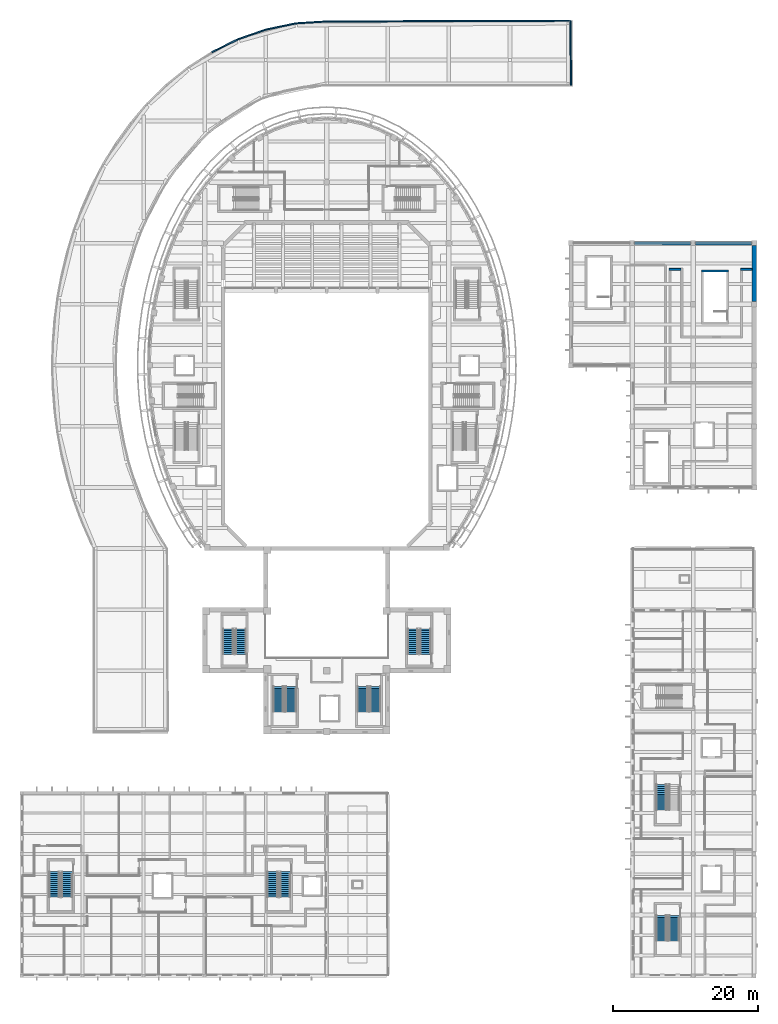
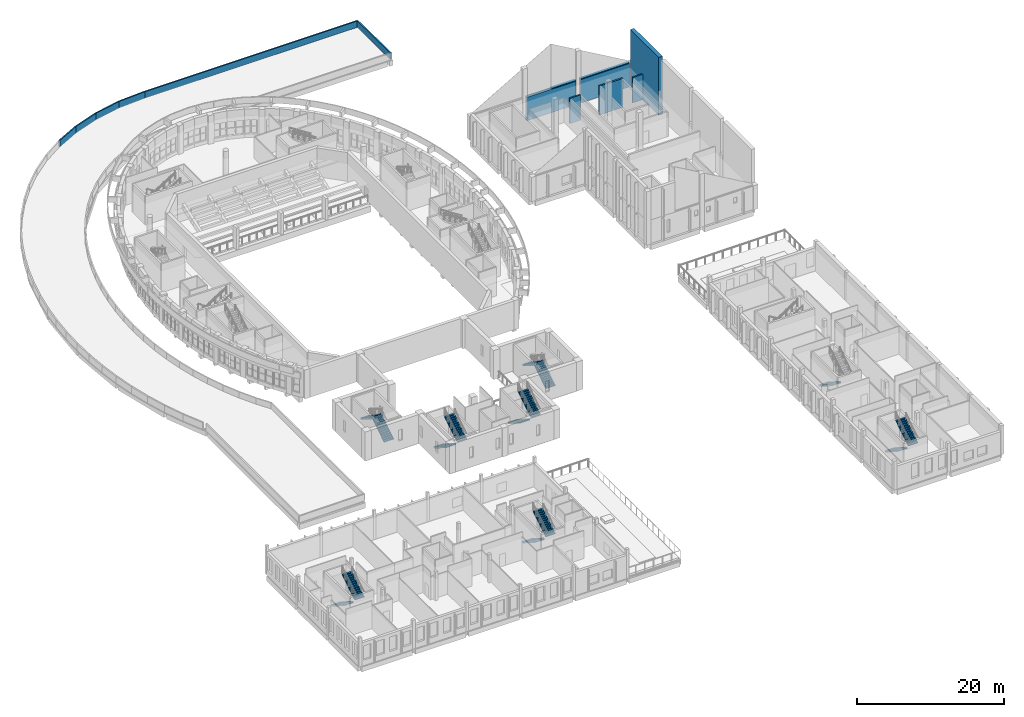
# One storey, part 46 of 79: 15 stair flights, 14 walls, 8 elements without a shape of their own.
"""IFC4 building model written with IfcOpenShell, lengths in metres."""

from ifc_helpers import new_model, si_unit, direction, frame, frame_2d, origin, place, context, subcontext, project, spatial, polyline, rectangle, outline, extrude, material, layer, layer_set, type_object, element, aggregate, save


model = new_model("IFC4")

# Units and contexts
model_context = context("Model", 3, precision=1e-05, world=origin(), true_north=direction((0.0, 1.0)))
body_context = subcontext(model_context, "Body", "Model", "MODEL_VIEW")
ifc_project = project(units=[si_unit("LENGTHUNIT", "METRE"), si_unit("AREAUNIT", "SQUARE_METRE"), si_unit("VOLUMEUNIT", "CUBIC_METRE"), si_unit("PLANEANGLEUNIT", "RADIAN"), si_unit("MASSUNIT", "GRAM", prefix="KILO")], contexts=[model_context])

# Site, building, storey
site_placement = place(None, origin())
site = spatial("IfcSite", under=ifc_project, at=site_placement, CompositionType="ELEMENT")
building_placement = place(site_placement, origin())
building = spatial("IfcBuilding", under=site, at=building_placement, Name="Larchfold Concert Hall", CompositionType="ELEMENT")
storey_placement = place(building_placement, frame((0.0, 0.0, 14.39990234375)))
storey = spatial("IfcBuildingStorey", under=building, at=storey_placement, Name="L03", CompositionType="ELEMENT", Elevation=14.39990234375)

# Walls
ifc_material_1 = material(Name="Charred larch cladding on mineral wool and CLT", Category="wood")
ifc_layer_1 = layer(ifc_material_1, 0.449951171875)
ifc_layer_set_1 = layer_set([ifc_layer_1], Name="Charred larch cladding on mineral wool and CLT")
wall_type_1 = type_object("IfcWallType", Name="Charred larch infill wall 450", PredefinedType="SOLIDWALL", material=ifc_layer_set_1)
for number, where, z_axis, x_axis, name in (
    (1, (101.0498046875, 101.39990234375, 0.0), (0.0, 0.0, 1.0), (-1.0, 0.0, 0.0), "Infill wall W5106"),
    (2, (92.64990234375, 101.39990234375, 0.0), (0.0, 0.0, 1.0), (-1.0, 0.0, 0.0), "Infill wall W5107"),
):
    element("IfcWall", number, at=place(storey_placement, frame(where, z_axis=z_axis, x_axis=x_axis)), inside=storey, type_object=wall_type_1, Name=name, PredefinedType="SOLIDWALL", context=body_context, shape_type="SweptSolid", body=[
        extrude(rectangle(XDim=7.69970703125, YDim=0.449951171875, at=frame_2d((3.849853515625, 0.0))), origin(), (0.0, 0.0, 1.0), 3.900146484375),
    ])
wall_1_placement = place(storey_placement, frame((92.64990234375, 101.39990234375, 3.900146484375), z_axis=(0.0, 0.0, 1.0), x_axis=(-1.0, 0.0, 0.0)))
element("IfcWall", 3, at=wall_1_placement, inside=storey, type_object=wall_type_1, Name="Infill wall W5199", PredefinedType="SOLIDWALL", context=body_context, shape_type="SweptSolid", body=[
    extrude(rectangle(XDim=3.849853515625, YDim=0.449951171875, at=frame_2d((1.9248046875, 0.0))), origin(), (0.0, 0.0, 1.0), 0.114501953125),
])
wall_2_placement = place(storey_placement, frame((101.0498046875, 101.39990234375, 3.900146484375), z_axis=(0.0, 0.0, 1.0), x_axis=(-1.0, 0.0, 0.0)))
element("IfcWall", 4, at=wall_2_placement, inside=storey, type_object=wall_type_1, Name="Infill wall W5201", PredefinedType="SOLIDWALL", context=body_context, shape_type="SweptSolid", body=[
    extrude(rectangle(XDim=7.69970703125, YDim=0.449951171875, at=frame_2d((3.849853515625, 0.0))), origin(), (0.0, 0.0, 1.0), 0.114501953125),
])
ifc_material_2 = material(Name="Plasterboard partition on steel studs", Category="steel")
ifc_layer_2 = layer(ifc_material_2, 0.25)
ifc_layer_set_2 = layer_set([ifc_layer_2], Name="Plasterboard partition on steel studs")
wall_type_2 = type_object("IfcWallType", Name="Hall acoustic double-leaf partition 250", PredefinedType="PARTITIONING", material=ifc_layer_set_2)
wall_3_placement = place(storey_placement, frame((101.10009765625, 97.800048828125, 0.0), z_axis=(0.0, 0.0, 1.0), x_axis=(-1.0, 0.0, 0.0)))
element("IfcWall", 5, at=wall_3_placement, inside=storey, type_object=wall_type_2, Name="Partition IW0048", PredefinedType="PARTITIONING", context=body_context, shape_type="SweptSolid", body=[
    extrude(rectangle(XDim=1.576171875, YDim=0.25, at=frame_2d((0.7880859375, 0.0))), origin(), (0.0, 0.0, 1.0), 4.2001953125),
])
wall_4_placement = place(storey_placement, frame((91.31298828125, 97.800048828125, 0.0), z_axis=(0.0, 0.0, 1.0), x_axis=(-1.0, 0.0, 0.0)))
element("IfcWall", 6, at=wall_4_placement, inside=storey, type_object=wall_type_2, Name="Partition IW0052", PredefinedType="PARTITIONING", context=body_context, shape_type="SweptSolid", body=[
    extrude(rectangle(XDim=1.637939453125, YDim=0.25, at=frame_2d((0.81884765625, 0.0))), origin(), (0.0, 0.0, 1.0), 4.2001953125),
])
ifc_material_3 = material(Name="White render on insulated block")
ifc_layer_3 = layer(ifc_material_3, 0.199951171875)
ifc_layer_set_3 = layer_set([ifc_layer_3], Name="White render on insulated block")
wall_type_3 = type_object("IfcWallType", Name="Roof parapet 200", PredefinedType="PARAPET", material=ifc_layer_set_3)
wall_5_placement = place(storey_placement, frame((76.199951171875, 123.10009765625, 0.0), z_axis=(0.0, 0.0, 1.0), x_axis=(-0.011246339791, 0.999936757921, 0.0)))
element("IfcWall", 7, at=wall_5_placement, inside=storey, type_object=wall_type_3, Name="Parapet PW0041", PredefinedType="PARAPET", context=body_context, shape_type="SweptSolid", body=[
    extrude(rectangle(XDim=8.900390625, YDim=0.199951171875, at=frame_2d((4.4501953125, 0.0))), origin(), (0.0, 0.0, 1.0), 1.10009765625),
])
wall_6_placement = place(storey_placement, frame((76.099853515625, 132.0, 0.0), z_axis=(0.0, 0.0, 1.0), x_axis=(-0.999995535923, -0.002987998176, 0.0)))
element("IfcWall", 8, at=wall_6_placement, inside=storey, type_object=wall_type_3, Name="Parapet PW0042", PredefinedType="PARAPET", context=body_context, shape_type="SweptSolid", body=[
    extrude(rectangle(XDim=33.5, YDim=0.199951171875, at=frame_2d((16.75, 0.0))), origin(), (0.0, 0.0, 1.0), 1.10009765625),
])
wall_7_placement = place(storey_placement, frame((42.60009765625, 131.89990234375, 0.0), z_axis=(0.0, 0.0, 1.0), x_axis=(-0.998116301752, -0.061350209264, 0.0)))
element("IfcWall", 9, at=wall_7_placement, inside=storey, type_object=wall_type_3, Name="Parapet PW0043", PredefinedType="PARAPET", context=body_context, shape_type="SweptSolid", body=[
    extrude(rectangle(XDim=4.258056640625, YDim=0.199951171875, at=frame_2d((2.12890625, 0.0))), origin(), (0.0, 0.0, 1.0), 1.10009765625),
])
wall_8_placement = place(storey_placement, frame((38.35009765625, 131.638671875, 0.0), z_axis=(0.0, 0.0, 1.0), x_axis=(-0.979120756343, -0.203279473875, 0.0)))
element("IfcWall", 10, at=wall_8_placement, inside=storey, type_object=wall_type_3, Name="Parapet PW0044", PredefinedType="PARAPET", context=body_context, shape_type="SweptSolid", body=[
    extrude(rectangle(XDim=4.204833984375, YDim=0.199951171875, at=frame_2d((2.1025390625, 0.0))), origin(), (0.0, 0.0, 1.0), 1.10009765625),
])
wall_9_placement = place(storey_placement, frame((34.233154296875, 130.783935546875, 0.0), z_axis=(0.0, 0.0, 1.0), x_axis=(-0.944289670006, -0.3291155103, 0.0)))
element("IfcWall", 11, at=wall_9_placement, inside=storey, type_object=wall_type_3, Name="Parapet PW0045", PredefinedType="PARAPET", context=body_context, shape_type="SweptSolid", body=[
    extrude(rectangle(XDim=4.122314453125, YDim=0.199951171875, at=frame_2d((2.06103515625, 0.0))), origin(), (0.0, 0.0, 1.0), 1.10009765625),
])
wall_10_placement = place(storey_placement, frame((30.340576171875, 129.42724609375, 0.0), z_axis=(0.0, 0.0, 1.0), x_axis=(-0.896763077154, -0.442510998115, 0.0)))
element("IfcWall", 12, at=wall_10_placement, inside=storey, type_object=wall_type_3, Name="Parapet PW0046", PredefinedType="PARAPET", context=body_context, shape_type="SweptSolid", body=[
    extrude(rectangle(XDim=4.01318359375, YDim=0.199951171875, at=frame_2d((2.006591796875, 0.0))), origin(), (0.0, 0.0, 1.0), 1.10009765625),
])
ifc_material_4 = material(Name="Concrete C40/50", Category="concrete")
ifc_layer_4 = layer(ifc_material_4, 0.25)
ifc_layer_set_4 = layer_set([ifc_layer_4], Name="Concrete C40/50")
wall_type_4 = type_object("IfcWallType", Name="Wall RC 250 stair core", PredefinedType="SOLIDWALL", material=ifc_layer_set_4)
wall_11_placement = place(storey_placement, frame((94.14990234375, 97.574951171875, 0.0), z_axis=(0.0, 0.0, 1.0), x_axis=(1.0, 0.0, 0.0)))
element("IfcWall", 13, at=wall_11_placement, inside=storey, type_object=wall_type_4, Name="Wall W0099", PredefinedType="SOLIDWALL", context=body_context, shape_type="SweptSolid", body=[
    extrude(rectangle(XDim=3.7001953125, YDim=0.25, at=frame_2d((1.85009765625, 0.0))), origin(), (0.0, 0.0, 1.0), 4.800048828125),
])
ifc_material_5 = material(Name="Concrete C40/50", Category="concrete")
ifc_layer_5 = layer(ifc_material_5, 0.60009765625)
ifc_layer_set_5 = layer_set([ifc_layer_5], Name="Concrete C40/50")
wall_type_5 = type_object("IfcWallType", Name="Wall RC 600 party wall", PredefinedType="SOLIDWALL", material=ifc_layer_set_5)
wall_12_placement = place(storey_placement, frame((101.39990234375, 93.35009765625, 0.0), z_axis=(0.0, 0.0, 1.0), x_axis=(0.0, 1.0, 0.0)))
element("IfcWall", 14, at=wall_12_placement, inside=storey, type_object=wall_type_5, Name="Wall W0029", PredefinedType="SOLIDWALL", context=body_context, shape_type="SweptSolid", body=[
    extrude(rectangle(XDim=7.699951171875, YDim=0.60009765625, at=frame_2d((3.85009765625, 0.0))), origin(), (0.0, 0.0, 1.0), 9.60009765625),
])

# Stair, stair flights
ifc_material_6 = material(Name="Concrete C35/45", Category="concrete")
stair_type = type_object("IfcStairType", Name="Stair RC half-turn enclosed", PredefinedType="HALF_TURN_STAIR", material=ifc_material_6)
stair_1_placement = place(storey_placement, origin())
stair_1 = element("IfcStair", 15, at=stair_1_placement, inside=storey, type_object=stair_type, Name="Stair SH1", PredefinedType="HALF_TURN_STAIR")
ifc_material_7 = material(Name="Concrete C35/45", Category="concrete")
stair_flight_type = type_object("IfcStairFlightType", Name="Stair flight RC 1500 x 171.4", PredefinedType="STRAIGHT", material=ifc_material_7)
stair_flight_1_placement = place(storey_placement, frame((30.75, 44.85009765625, 0.0), z_axis=(0.0, 0.0, 1.0), x_axis=(0.0, 1.0, 0.0)))
stair_flight_1 = element("IfcStairFlight", 16, at=stair_flight_1_placement, type_object=stair_flight_type, Name="ST09 flight 1", NumberOfRisers=14, NumberOfTreads=13, PredefinedType="STRAIGHT", RiserHeight=0.171428571, TreadLength=0.27, context=body_context, shape_type="SweptSolid", body=[
    extrude(outline(polyline([(0.0, 0.0), (0.0, 0.17138671875), (0.27001953125, 0.17138671875), (0.27001953125, 0.3427734375), (0.5400390625, 0.3427734375), (0.5400390625, 0.514404296875), (0.81005859375, 0.514404296875), (0.81005859375, 0.685791015625), (1.080078125, 0.685791015625), (1.080078125, 0.857177734375), (1.35009765625, 0.857177734375), (1.35009765625, 1.028564453125), (1.6201171875, 1.028564453125), (1.6201171875, 1.199951171875), (1.889892578125, 1.199951171875), (1.889892578125, 1.371337890625), (2.159912109375, 1.371337890625), (2.159912109375, 1.54296875), (2.429931640625, 1.54296875), (2.429931640625, 1.71435546875), (2.699951171875, 1.71435546875), (2.699951171875, 1.8857421875), (2.969970703125, 1.8857421875), (2.969970703125, 2.05712890625), (3.239990234375, 2.05712890625), (3.239990234375, 2.228515625), (3.510009765625, 2.228515625), (3.510009765625, 2.39990234375), (3.510009765625, 2.051025390625), (0.27978515625, 0.0), (0.0, 0.0)])), frame((0.0, 0.75, 0.0), z_axis=(0.0, -1.0, 0.0), x_axis=(1.0, 0.0, 0.0)), (0.0, 0.0, 1.0), 1.5),
])
stair_flight_2_placement = place(storey_placement, frame((29.050048828125, 48.360107421875, 2.400146484375), z_axis=(0.0, 0.0, 1.0), x_axis=(0.0, -1.0, 0.0)))
stair_flight_2 = element("IfcStairFlight", 17, at=stair_flight_2_placement, type_object=stair_flight_type, Name="ST09 flight 2", NumberOfRisers=14, NumberOfTreads=13, PredefinedType="STRAIGHT", RiserHeight=0.171428571, TreadLength=0.27, context=body_context, shape_type="SweptSolid", body=[
    extrude(outline(polyline([(0.0, 0.0), (0.0, 0.17138671875), (0.27001953125, 0.17138671875), (0.27001953125, 0.3427734375), (0.5400390625, 0.3427734375), (0.5400390625, 0.514404296875), (0.81005859375, 0.514404296875), (0.81005859375, 0.685791015625), (1.080078125, 0.685791015625), (1.080078125, 0.857177734375), (1.35009765625, 0.857177734375), (1.35009765625, 1.028564453125), (1.6201171875, 1.028564453125), (1.6201171875, 1.199951171875), (1.889892578125, 1.199951171875), (1.889892578125, 1.371337890625), (2.159912109375, 1.371337890625), (2.159912109375, 1.54296875), (2.429931640625, 1.54296875), (2.429931640625, 1.71435546875), (2.699951171875, 1.71435546875), (2.699951171875, 1.8857421875), (2.969970703125, 1.8857421875), (2.969970703125, 2.05712890625), (3.239990234375, 2.05712890625), (3.239990234375, 2.228515625), (3.510009765625, 2.228515625), (3.510009765625, 2.39990234375), (3.510009765625, 2.051025390625), (0.27978515625, 0.0), (0.0, 0.0)])), frame((0.0, 0.75, 0.0), z_axis=(0.0, -1.0, 0.0), x_axis=(1.0, 0.0, 0.0)), (0.0, 0.0, 1.0), 1.5),
])
aggregate(stair_1, [stair_flight_1, stair_flight_2])

stair_2_placement = place(storey_placement, origin())
stair_2 = element("IfcStair", 18, at=stair_2_placement, inside=storey, type_object=stair_type, Name="Stair SH2", PredefinedType="HALF_TURN_STAIR")
stair_flight_3_placement = place(storey_placement, frame((56.14990234375, 44.85009765625, 0.0), z_axis=(0.0, 0.0, 1.0), x_axis=(0.0, 1.0, 0.0)))
stair_flight_3 = element("IfcStairFlight", 19, at=stair_flight_3_placement, type_object=stair_flight_type, Name="ST10 flight 1", NumberOfRisers=14, NumberOfTreads=13, PredefinedType="STRAIGHT", RiserHeight=0.171428571, TreadLength=0.27, context=body_context, shape_type="SweptSolid", body=[
    extrude(outline(polyline([(0.0, 0.0), (0.0, 0.17138671875), (0.27001953125, 0.17138671875), (0.27001953125, 0.3427734375), (0.5400390625, 0.3427734375), (0.5400390625, 0.514404296875), (0.81005859375, 0.514404296875), (0.81005859375, 0.685791015625), (1.080078125, 0.685791015625), (1.080078125, 0.857177734375), (1.35009765625, 0.857177734375), (1.35009765625, 1.028564453125), (1.6201171875, 1.028564453125), (1.6201171875, 1.199951171875), (1.889892578125, 1.199951171875), (1.889892578125, 1.371337890625), (2.159912109375, 1.371337890625), (2.159912109375, 1.54296875), (2.429931640625, 1.54296875), (2.429931640625, 1.71435546875), (2.699951171875, 1.71435546875), (2.699951171875, 1.8857421875), (2.969970703125, 1.8857421875), (2.969970703125, 2.05712890625), (3.239990234375, 2.05712890625), (3.239990234375, 2.228515625), (3.510009765625, 2.228515625), (3.510009765625, 2.39990234375), (3.510009765625, 2.051025390625), (0.27978515625, 0.0), (0.0, 0.0)])), frame((0.0, 0.75, 0.0), z_axis=(0.0, -1.0, 0.0), x_axis=(1.0, 0.0, 0.0)), (0.0, 0.0, 1.0), 1.5),
])
stair_flight_4_placement = place(storey_placement, frame((54.449951171875, 48.360107421875, 2.400146484375), z_axis=(0.0, 0.0, 1.0), x_axis=(0.0, -1.0, 0.0)))
stair_flight_4 = element("IfcStairFlight", 20, at=stair_flight_4_placement, type_object=stair_flight_type, Name="ST10 flight 2", NumberOfRisers=14, NumberOfTreads=13, PredefinedType="STRAIGHT", RiserHeight=0.171428571, TreadLength=0.27, context=body_context, shape_type="SweptSolid", body=[
    extrude(outline(polyline([(0.0, 0.0), (0.0, 0.17138671875), (0.27001953125, 0.17138671875), (0.27001953125, 0.3427734375), (0.5400390625, 0.3427734375), (0.5400390625, 0.514404296875), (0.81005859375, 0.514404296875), (0.81005859375, 0.685791015625), (1.080078125, 0.685791015625), (1.080078125, 0.857177734375), (1.35009765625, 0.857177734375), (1.35009765625, 1.028564453125), (1.6201171875, 1.028564453125), (1.6201171875, 1.199951171875), (1.889892578125, 1.199951171875), (1.889892578125, 1.371337890625), (2.159912109375, 1.371337890625), (2.159912109375, 1.54296875), (2.429931640625, 1.54296875), (2.429931640625, 1.71435546875), (2.699951171875, 1.71435546875), (2.699951171875, 1.8857421875), (2.969970703125, 1.8857421875), (2.969970703125, 2.05712890625), (3.239990234375, 2.05712890625), (3.239990234375, 2.228515625), (3.510009765625, 2.228515625), (3.510009765625, 2.39990234375), (3.510009765625, 2.051025390625), (0.27978515625, 0.0), (0.0, 0.0)])), frame((0.0, 0.75, 0.0), z_axis=(0.0, -1.0, 0.0), x_axis=(1.0, 0.0, 0.0)), (0.0, 0.0, 1.0), 1.5),
])
aggregate(stair_2, [stair_flight_3, stair_flight_4])

stair_3_placement = place(storey_placement, origin())
stair_3 = element("IfcStair", 21, at=stair_3_placement, inside=storey, type_object=stair_type, Name="Stair SH3", PredefinedType="HALF_TURN_STAIR")
stair_flight_5_placement = place(storey_placement, frame((35.949951171875, 40.449951171875, 0.0), z_axis=(0.0, 0.0, 1.0), x_axis=(0.0, -1.0, 0.0)))
stair_flight_5 = element("IfcStairFlight", 22, at=stair_flight_5_placement, type_object=stair_flight_type, Name="ST11 flight 1", NumberOfRisers=14, NumberOfTreads=13, PredefinedType="STRAIGHT", RiserHeight=0.171428571, TreadLength=0.27, context=body_context, shape_type="SweptSolid", body=[
    extrude(outline(polyline([(0.0, 0.0), (0.0, 0.17138671875), (0.27001953125, 0.17138671875), (0.27001953125, 0.3427734375), (0.5400390625, 0.3427734375), (0.5400390625, 0.514404296875), (0.81005859375, 0.514404296875), (0.81005859375, 0.685791015625), (1.080078125, 0.685791015625), (1.080078125, 0.857177734375), (1.35009765625, 0.857177734375), (1.35009765625, 1.028564453125), (1.6201171875, 1.028564453125), (1.6201171875, 1.199951171875), (1.889892578125, 1.199951171875), (1.889892578125, 1.371337890625), (2.159912109375, 1.371337890625), (2.159912109375, 1.54296875), (2.429931640625, 1.54296875), (2.429931640625, 1.71435546875), (2.699951171875, 1.71435546875), (2.699951171875, 1.8857421875), (2.969970703125, 1.8857421875), (2.969970703125, 2.05712890625), (3.239990234375, 2.05712890625), (3.239990234375, 2.228515625), (3.510009765625, 2.228515625), (3.510009765625, 2.39990234375), (3.510009765625, 2.051025390625), (0.27978515625, 0.0), (0.0, 0.0)])), frame((0.0, 0.75, 0.0), z_axis=(0.0, -1.0, 0.0), x_axis=(1.0, 0.0, 0.0)), (0.0, 0.0, 1.0), 1.5),
])
stair_flight_6_placement = place(storey_placement, frame((37.64990234375, 36.93994140625, 2.400146484375), z_axis=(0.0, 0.0, 1.0), x_axis=(0.0, 1.0, 0.0)))
stair_flight_6 = element("IfcStairFlight", 23, at=stair_flight_6_placement, type_object=stair_flight_type, Name="ST11 flight 2", NumberOfRisers=14, NumberOfTreads=13, PredefinedType="STRAIGHT", RiserHeight=0.171428571, TreadLength=0.27, context=body_context, shape_type="SweptSolid", body=[
    extrude(outline(polyline([(0.0, 0.0), (0.0, 0.17138671875), (0.27001953125, 0.17138671875), (0.27001953125, 0.3427734375), (0.5400390625, 0.3427734375), (0.5400390625, 0.514404296875), (0.81005859375, 0.514404296875), (0.81005859375, 0.685791015625), (1.080078125, 0.685791015625), (1.080078125, 0.857177734375), (1.35009765625, 0.857177734375), (1.35009765625, 1.028564453125), (1.6201171875, 1.028564453125), (1.6201171875, 1.199951171875), (1.889892578125, 1.199951171875), (1.889892578125, 1.371337890625), (2.159912109375, 1.371337890625), (2.159912109375, 1.54296875), (2.429931640625, 1.54296875), (2.429931640625, 1.71435546875), (2.699951171875, 1.71435546875), (2.699951171875, 1.8857421875), (2.969970703125, 1.8857421875), (2.969970703125, 2.05712890625), (3.239990234375, 2.05712890625), (3.239990234375, 2.228515625), (3.510009765625, 2.228515625), (3.510009765625, 2.39990234375), (3.510009765625, 2.051025390625), (0.27978515625, 0.0), (0.0, 0.0)])), frame((0.0, 0.75, 0.0), z_axis=(0.0, -1.0, 0.0), x_axis=(1.0, 0.0, 0.0)), (0.0, 0.0, 1.0), 1.5),
])
aggregate(stair_3, [stair_flight_5, stair_flight_6])

stair_4_placement = place(storey_placement, origin())
stair_4 = element("IfcStair", 24, at=stair_4_placement, inside=storey, type_object=stair_type, Name="Stair SH4", PredefinedType="HALF_TURN_STAIR")
stair_flight_7_placement = place(storey_placement, frame((47.550048828125, 40.449951171875, 0.0), z_axis=(0.0, 0.0, 1.0), x_axis=(0.0, -1.0, 0.0)))
stair_flight_7 = element("IfcStairFlight", 25, at=stair_flight_7_placement, type_object=stair_flight_type, Name="ST12 flight 1", NumberOfRisers=14, NumberOfTreads=13, PredefinedType="STRAIGHT", RiserHeight=0.171428571, TreadLength=0.27, context=body_context, shape_type="SweptSolid", body=[
    extrude(outline(polyline([(0.0, 0.0), (0.0, 0.17138671875), (0.27001953125, 0.17138671875), (0.27001953125, 0.3427734375), (0.5400390625, 0.3427734375), (0.5400390625, 0.514404296875), (0.81005859375, 0.514404296875), (0.81005859375, 0.685791015625), (1.080078125, 0.685791015625), (1.080078125, 0.857177734375), (1.35009765625, 0.857177734375), (1.35009765625, 1.028564453125), (1.6201171875, 1.028564453125), (1.6201171875, 1.199951171875), (1.889892578125, 1.199951171875), (1.889892578125, 1.371337890625), (2.159912109375, 1.371337890625), (2.159912109375, 1.54296875), (2.429931640625, 1.54296875), (2.429931640625, 1.71435546875), (2.699951171875, 1.71435546875), (2.699951171875, 1.8857421875), (2.969970703125, 1.8857421875), (2.969970703125, 2.05712890625), (3.239990234375, 2.05712890625), (3.239990234375, 2.228515625), (3.510009765625, 2.228515625), (3.510009765625, 2.39990234375), (3.510009765625, 2.051025390625), (0.27978515625, 0.0), (0.0, 0.0)])), frame((0.0, 0.75, 0.0), z_axis=(0.0, -1.0, 0.0), x_axis=(1.0, 0.0, 0.0)), (0.0, 0.0, 1.0), 1.5),
])
stair_flight_8_placement = place(storey_placement, frame((49.25, 36.93994140625, 2.400146484375), z_axis=(0.0, 0.0, 1.0), x_axis=(0.0, 1.0, 0.0)))
stair_flight_8 = element("IfcStairFlight", 26, at=stair_flight_8_placement, type_object=stair_flight_type, Name="ST12 flight 2", NumberOfRisers=14, NumberOfTreads=13, PredefinedType="STRAIGHT", RiserHeight=0.171428571, TreadLength=0.27, context=body_context, shape_type="SweptSolid", body=[
    extrude(outline(polyline([(0.0, 0.0), (0.0, 0.17138671875), (0.27001953125, 0.17138671875), (0.27001953125, 0.3427734375), (0.5400390625, 0.3427734375), (0.5400390625, 0.514404296875), (0.81005859375, 0.514404296875), (0.81005859375, 0.685791015625), (1.080078125, 0.685791015625), (1.080078125, 0.857177734375), (1.35009765625, 0.857177734375), (1.35009765625, 1.028564453125), (1.6201171875, 1.028564453125), (1.6201171875, 1.199951171875), (1.889892578125, 1.199951171875), (1.889892578125, 1.371337890625), (2.159912109375, 1.371337890625), (2.159912109375, 1.54296875), (2.429931640625, 1.54296875), (2.429931640625, 1.71435546875), (2.699951171875, 1.71435546875), (2.699951171875, 1.8857421875), (2.969970703125, 1.8857421875), (2.969970703125, 2.05712890625), (3.239990234375, 2.05712890625), (3.239990234375, 2.228515625), (3.510009765625, 2.228515625), (3.510009765625, 2.39990234375), (3.510009765625, 2.051025390625), (0.27978515625, 0.0), (0.0, 0.0)])), frame((0.0, 0.75, 0.0), z_axis=(0.0, -1.0, 0.0), x_axis=(1.0, 0.0, 0.0)), (0.0, 0.0, 1.0), 1.5),
])
aggregate(stair_4, [stair_flight_7, stair_flight_8])

stair_5_placement = place(storey_placement, origin())
stair_5 = element("IfcStair", 27, at=stair_5_placement, inside=storey, type_object=stair_type, Name="Stair AW1", PredefinedType="HALF_TURN_STAIR")
stair_flight_9_placement = place(storey_placement, frame((88.64990234375, 8.949951171875, 0.0), z_axis=(0.0, 0.0, 1.0), x_axis=(0.0, -1.0, 0.0)))
stair_flight_9 = element("IfcStairFlight", 28, at=stair_flight_9_placement, type_object=stair_flight_type, Name="ST13 flight 1", NumberOfRisers=14, NumberOfTreads=13, PredefinedType="STRAIGHT", RiserHeight=0.171428571, TreadLength=0.27, context=body_context, shape_type="SweptSolid", body=[
    extrude(outline(polyline([(0.0, 0.0), (0.0, 0.17138671875), (0.27001953125, 0.17138671875), (0.27001953125, 0.3427734375), (0.5400390625, 0.3427734375), (0.5400390625, 0.514404296875), (0.81005859375, 0.514404296875), (0.81005859375, 0.685791015625), (1.080078125, 0.685791015625), (1.080078125, 0.857177734375), (1.35009765625, 0.857177734375), (1.35009765625, 1.028564453125), (1.6201171875, 1.028564453125), (1.6201171875, 1.199951171875), (1.889892578125, 1.199951171875), (1.889892578125, 1.371337890625), (2.159912109375, 1.371337890625), (2.159912109375, 1.54296875), (2.429931640625, 1.54296875), (2.429931640625, 1.71435546875), (2.699951171875, 1.71435546875), (2.699951171875, 1.8857421875), (2.969970703125, 1.8857421875), (2.969970703125, 2.05712890625), (3.239990234375, 2.05712890625), (3.239990234375, 2.228515625), (3.510009765625, 2.228515625), (3.510009765625, 2.39990234375), (3.510009765625, 2.051025390625), (0.27978515625, 0.0), (0.0, 0.0)])), frame((0.0, 0.75, 0.0), z_axis=(0.0, -1.0, 0.0), x_axis=(1.0, 0.0, 0.0)), (0.0, 0.0, 1.0), 1.5),
])
stair_flight_10_placement = place(storey_placement, frame((90.349853515625, 5.43994140625, 2.400146484375), z_axis=(0.0, 0.0, 1.0), x_axis=(0.0, 1.0, 0.0)))
stair_flight_10 = element("IfcStairFlight", 29, at=stair_flight_10_placement, type_object=stair_flight_type, Name="ST13 flight 2", NumberOfRisers=14, NumberOfTreads=13, PredefinedType="STRAIGHT", RiserHeight=0.171428571, TreadLength=0.27, context=body_context, shape_type="SweptSolid", body=[
    extrude(outline(polyline([(0.0, 0.0), (0.0, 0.17138671875), (0.27001953125, 0.17138671875), (0.27001953125, 0.3427734375), (0.5400390625, 0.3427734375), (0.5400390625, 0.514404296875), (0.81005859375, 0.514404296875), (0.81005859375, 0.685791015625), (1.080078125, 0.685791015625), (1.080078125, 0.857177734375), (1.35009765625, 0.857177734375), (1.35009765625, 1.028564453125), (1.6201171875, 1.028564453125), (1.6201171875, 1.199951171875), (1.889892578125, 1.199951171875), (1.889892578125, 1.371337890625), (2.159912109375, 1.371337890625), (2.159912109375, 1.54296875), (2.429931640625, 1.54296875), (2.429931640625, 1.71435546875), (2.699951171875, 1.71435546875), (2.699951171875, 1.8857421875), (2.969970703125, 1.8857421875), (2.969970703125, 2.05712890625), (3.239990234375, 2.05712890625), (3.239990234375, 2.228515625), (3.510009765625, 2.228515625), (3.510009765625, 2.39990234375), (3.510009765625, 2.051025390625), (0.27978515625, 0.0), (0.0, 0.0)])), frame((0.0, 0.75, 0.0), z_axis=(0.0, -1.0, 0.0), x_axis=(1.0, 0.0, 0.0)), (0.0, 0.0, 1.0), 1.5),
])
aggregate(stair_5, [stair_flight_9, stair_flight_10])

# Stair, stair flight
stair_6_placement = place(storey_placement, origin())
stair_6 = element("IfcStair", 30, at=stair_6_placement, inside=storey, type_object=stair_type, Name="Stair AW2", PredefinedType="HALF_TURN_STAIR")
stair_flight_11_placement = place(storey_placement, frame((88.64990234375, 26.949951171875, 0.0), z_axis=(0.0, 0.0, 1.0), x_axis=(0.0, -1.0, 0.0)))
stair_flight_11 = element("IfcStairFlight", 31, at=stair_flight_11_placement, type_object=stair_flight_type, Name="ST14 flight 1", NumberOfRisers=14, NumberOfTreads=13, PredefinedType="STRAIGHT", RiserHeight=0.171428571, TreadLength=0.27, context=body_context, shape_type="SweptSolid", body=[
    extrude(outline(polyline([(0.0, 0.0), (0.0, 0.17138671875), (0.27001953125, 0.17138671875), (0.27001953125, 0.3427734375), (0.5400390625, 0.3427734375), (0.5400390625, 0.514404296875), (0.81005859375, 0.514404296875), (0.81005859375, 0.685791015625), (1.080078125, 0.685791015625), (1.080078125, 0.857177734375), (1.35009765625, 0.857177734375), (1.35009765625, 1.028564453125), (1.6201171875, 1.028564453125), (1.6201171875, 1.199951171875), (1.889892578125, 1.199951171875), (1.889892578125, 1.371337890625), (2.159912109375, 1.371337890625), (2.159912109375, 1.54296875), (2.429931640625, 1.54296875), (2.429931640625, 1.71435546875), (2.699951171875, 1.71435546875), (2.699951171875, 1.8857421875), (2.969970703125, 1.8857421875), (2.969970703125, 2.05712890625), (3.239990234375, 2.05712890625), (3.239990234375, 2.228515625), (3.510009765625, 2.228515625), (3.510009765625, 2.39990234375), (3.510009765625, 2.051025390625), (0.27978515625, 0.0), (0.0, 0.0)])), frame((0.0, 0.75, 0.0), z_axis=(0.0, -1.0, 0.0), x_axis=(1.0, 0.0, 0.0)), (0.0, 0.0, 1.0), 1.5),
])
aggregate(stair_6, [stair_flight_11])

# Stair, stair flights
stair_7_placement = place(storey_placement, origin())
stair_7 = element("IfcStair", 32, at=stair_7_placement, inside=storey, type_object=stair_type, Name="Stair SW1", PredefinedType="HALF_TURN_STAIR")
stair_flight_12_placement = place(storey_placement, frame((5.14990234375, 14.949951171875, 0.0), z_axis=(0.0, 0.0, 1.0), x_axis=(0.0, -1.0, 0.0)))
stair_flight_12 = element("IfcStairFlight", 33, at=stair_flight_12_placement, type_object=stair_flight_type, Name="ST21 flight 1", NumberOfRisers=14, NumberOfTreads=13, PredefinedType="STRAIGHT", RiserHeight=0.171428571, TreadLength=0.27, context=body_context, shape_type="SweptSolid", body=[
    extrude(outline(polyline([(0.0, 0.0), (0.0, 0.17138671875), (0.27001953125, 0.17138671875), (0.27001953125, 0.3427734375), (0.5400390625, 0.3427734375), (0.5400390625, 0.514404296875), (0.81005859375, 0.514404296875), (0.81005859375, 0.685791015625), (1.080078125, 0.685791015625), (1.080078125, 0.857177734375), (1.35009765625, 0.857177734375), (1.35009765625, 1.028564453125), (1.6201171875, 1.028564453125), (1.6201171875, 1.199951171875), (1.889892578125, 1.199951171875), (1.889892578125, 1.371337890625), (2.159912109375, 1.371337890625), (2.159912109375, 1.54296875), (2.429931640625, 1.54296875), (2.429931640625, 1.71435546875), (2.699951171875, 1.71435546875), (2.699951171875, 1.8857421875), (2.969970703125, 1.8857421875), (2.969970703125, 2.05712890625), (3.239990234375, 2.05712890625), (3.239990234375, 2.228515625), (3.510009765625, 2.228515625), (3.510009765625, 2.39990234375), (3.510009765625, 2.051025390625), (0.27978515625, 0.0), (0.0, 0.0)])), frame((0.0, 0.75, 0.0), z_axis=(0.0, -1.0, 0.0), x_axis=(1.0, 0.0, 0.0)), (0.0, 0.0, 1.0), 1.5),
])
stair_flight_13_placement = place(storey_placement, frame((6.849853515625, 11.43994140625, 2.400146484375), z_axis=(0.0, 0.0, 1.0), x_axis=(0.0, 1.0, 0.0)))
stair_flight_13 = element("IfcStairFlight", 34, at=stair_flight_13_placement, type_object=stair_flight_type, Name="ST21 flight 2", NumberOfRisers=14, NumberOfTreads=13, PredefinedType="STRAIGHT", RiserHeight=0.171428571, TreadLength=0.27, context=body_context, shape_type="SweptSolid", body=[
    extrude(outline(polyline([(0.0, 0.0), (0.0, 0.17138671875), (0.27001953125, 0.17138671875), (0.27001953125, 0.3427734375), (0.5400390625, 0.3427734375), (0.5400390625, 0.514404296875), (0.81005859375, 0.514404296875), (0.81005859375, 0.685791015625), (1.080078125, 0.685791015625), (1.080078125, 0.857177734375), (1.35009765625, 0.857177734375), (1.35009765625, 1.028564453125), (1.6201171875, 1.028564453125), (1.6201171875, 1.199951171875), (1.889892578125, 1.199951171875), (1.889892578125, 1.371337890625), (2.159912109375, 1.371337890625), (2.159912109375, 1.54296875), (2.429931640625, 1.54296875), (2.429931640625, 1.71435546875), (2.699951171875, 1.71435546875), (2.699951171875, 1.8857421875), (2.969970703125, 1.8857421875), (2.969970703125, 2.05712890625), (3.239990234375, 2.05712890625), (3.239990234375, 2.228515625), (3.510009765625, 2.228515625), (3.510009765625, 2.39990234375), (3.510009765625, 2.051025390625), (0.27978515625, 0.0), (0.0, 0.0)])), frame((0.0, 0.75, 0.0), z_axis=(0.0, -1.0, 0.0), x_axis=(1.0, 0.0, 0.0)), (0.0, 0.0, 1.0), 1.5),
])
aggregate(stair_7, [stair_flight_12, stair_flight_13])

stair_8_placement = place(storey_placement, origin())
stair_8 = element("IfcStair", 35, at=stair_8_placement, inside=storey, type_object=stair_type, Name="Stair SW2", PredefinedType="HALF_TURN_STAIR")
stair_flight_14_placement = place(storey_placement, frame((35.14990234375, 14.949951171875, 0.0), z_axis=(0.0, 0.0, 1.0), x_axis=(0.0, -1.0, 0.0)))
stair_flight_14 = element("IfcStairFlight", 36, at=stair_flight_14_placement, type_object=stair_flight_type, Name="ST22 flight 1", NumberOfRisers=14, NumberOfTreads=13, PredefinedType="STRAIGHT", RiserHeight=0.171428571, TreadLength=0.27, context=body_context, shape_type="SweptSolid", body=[
    extrude(outline(polyline([(0.0, 0.0), (0.0, 0.17138671875), (0.27001953125, 0.17138671875), (0.27001953125, 0.3427734375), (0.5400390625, 0.3427734375), (0.5400390625, 0.514404296875), (0.81005859375, 0.514404296875), (0.81005859375, 0.685791015625), (1.080078125, 0.685791015625), (1.080078125, 0.857177734375), (1.35009765625, 0.857177734375), (1.35009765625, 1.028564453125), (1.6201171875, 1.028564453125), (1.6201171875, 1.199951171875), (1.889892578125, 1.199951171875), (1.889892578125, 1.371337890625), (2.159912109375, 1.371337890625), (2.159912109375, 1.54296875), (2.429931640625, 1.54296875), (2.429931640625, 1.71435546875), (2.699951171875, 1.71435546875), (2.699951171875, 1.8857421875), (2.969970703125, 1.8857421875), (2.969970703125, 2.05712890625), (3.239990234375, 2.05712890625), (3.239990234375, 2.228515625), (3.510009765625, 2.228515625), (3.510009765625, 2.39990234375), (3.510009765625, 2.051025390625), (0.27978515625, 0.0), (0.0, 0.0)])), frame((0.0, 0.75, 0.0), z_axis=(0.0, -1.0, 0.0), x_axis=(1.0, 0.0, 0.0)), (0.0, 0.0, 1.0), 1.5),
])
stair_flight_15_placement = place(storey_placement, frame((36.849853515625, 11.43994140625, 2.400146484375), z_axis=(0.0, 0.0, 1.0), x_axis=(0.0, 1.0, 0.0)))
stair_flight_15 = element("IfcStairFlight", 37, at=stair_flight_15_placement, type_object=stair_flight_type, Name="ST22 flight 2", NumberOfRisers=14, NumberOfTreads=13, PredefinedType="STRAIGHT", RiserHeight=0.171428571, TreadLength=0.27, context=body_context, shape_type="SweptSolid", body=[
    extrude(outline(polyline([(0.0, 0.0), (0.0, 0.17138671875), (0.27001953125, 0.17138671875), (0.27001953125, 0.3427734375), (0.5400390625, 0.3427734375), (0.5400390625, 0.514404296875), (0.81005859375, 0.514404296875), (0.81005859375, 0.685791015625), (1.080078125, 0.685791015625), (1.080078125, 0.857177734375), (1.35009765625, 0.857177734375), (1.35009765625, 1.028564453125), (1.6201171875, 1.028564453125), (1.6201171875, 1.199951171875), (1.889892578125, 1.199951171875), (1.889892578125, 1.371337890625), (2.159912109375, 1.371337890625), (2.159912109375, 1.54296875), (2.429931640625, 1.54296875), (2.429931640625, 1.71435546875), (2.699951171875, 1.71435546875), (2.699951171875, 1.8857421875), (2.969970703125, 1.8857421875), (2.969970703125, 2.05712890625), (3.239990234375, 2.05712890625), (3.239990234375, 2.228515625), (3.510009765625, 2.228515625), (3.510009765625, 2.39990234375), (3.510009765625, 2.051025390625), (0.27978515625, 0.0), (0.0, 0.0)])), frame((0.0, 0.75, 0.0), z_axis=(0.0, -1.0, 0.0), x_axis=(1.0, 0.0, 0.0)), (0.0, 0.0, 1.0), 1.5),
])
aggregate(stair_8, [stair_flight_14, stair_flight_15])

save(model, "model.ifc")
